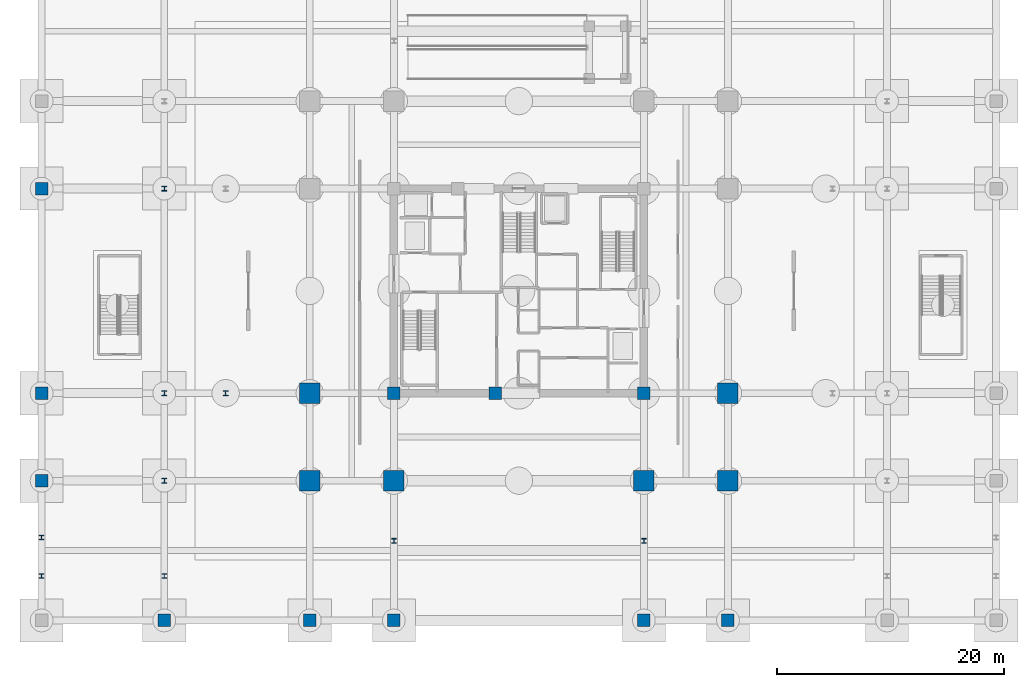
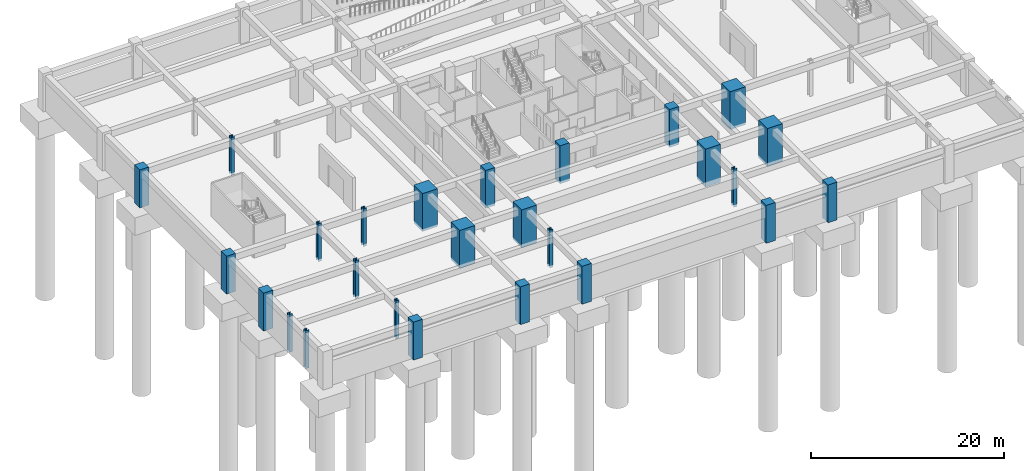
# One storey, part 2 of 17: 26 columns.
"""IFC4 building model written with IfcOpenShell, lengths in metres."""

from ifc_helpers import new_model, si_unit, direction, frame, origin, origin_2d, place, context, subcontext, project, spatial, rectangle, i_section, extrude, material, material_profile, profile_set, type_object, element, save


model = new_model("IFC4")

# Units and contexts
model_context = context("Model", 3, precision=1e-05, world=origin(), true_north=direction((0.0, 1.0)))
body_context = subcontext(model_context, "Body", "Model", "MODEL_VIEW")
ifc_project = project(units=[si_unit("LENGTHUNIT", "METRE"), si_unit("AREAUNIT", "SQUARE_METRE"), si_unit("VOLUMEUNIT", "CUBIC_METRE"), si_unit("PLANEANGLEUNIT", "RADIAN"), si_unit("MASSUNIT", "GRAM", prefix="KILO")], contexts=[model_context])

# Site, building, storey
site_placement = place(None, origin())
site = spatial("IfcSite", under=ifc_project, at=site_placement, CompositionType="ELEMENT")
building_placement = place(site_placement, origin())
building = spatial("IfcBuilding", under=site, at=building_placement, Name="Kovane Verandah Tower", CompositionType="ELEMENT")
storey_placement = place(building_placement, frame((0.0, 0.0, -9.0)))
storey = spatial("IfcBuildingStorey", under=building, at=storey_placement, Name="B2", CompositionType="ELEMENT", Elevation=-9.0)

# Columns
ifc_material_1 = material(Name="Concrete C60/75", Category="concrete")
ifc_material_profile_1 = material_profile(ifc_material_1, rectangle(XDim=1.10009765625, YDim=1.10009765625, at=origin_2d()), Name="RC1100x1100")
ifc_profile_set_1 = profile_set([ifc_material_profile_1], Name="Concrete C60/75")
column_type_1 = type_object("IfcColumnType", Name="COL-POD1100", PredefinedType="COLUMN", material=ifc_profile_set_1)
for number, where, z_axis, x_axis, name in (
    (1, (-2.0, 10.800048828125, -0.300048828125), (0.0, 0.0, 1.0), (1.0, 0.0, 0.0), "B2 Podium Column PC-W1"),
    (2, (-2.0, 18.5, -0.300048828125), (0.0, 0.0, 1.0), (1.0, 0.0, 0.0), "B2 Podium Column PC-W2"),
    (3, (-2.0, 36.5, -0.300048828125), (0.0, 0.0, 1.0), (1.0, 0.0, 0.0), "B2 Podium Column PC-W3"),
    (4, (8.800048828125, -1.5, -0.300048828125), (0.0, 0.0, 1.0), (1.0, 0.0, 0.0), "B2 Podium Column PC-S1"),
    (5, (21.60009765625, -1.5, -0.300048828125), (0.0, 0.0, 1.0), (1.0, 0.0, 0.0), "B2 Podium Column PC-S2"),
    (6, (29.0, -1.5, -0.300048828125), (0.0, 0.0, 1.0), (1.0, 0.0, 0.0), "B2 Podium Column PC-S3"),
    (7, (51.0, -1.5, -0.300048828125), (0.0, 0.0, 1.0), (1.0, 0.0, 0.0), "B2 Podium Column PC-S4"),
    (8, (58.39990234375, -1.5, -0.300048828125), (0.0, 0.0, 1.0), (1.0, 0.0, 0.0), "B2 Podium Column PC-S5"),
):
    element("IfcColumn", number, at=place(storey_placement, frame(where, z_axis=z_axis, x_axis=x_axis)), inside=storey, type_object=column_type_1, Name=name, PredefinedType="COLUMN", context=body_context, shape_type="SweptSolid", body=[
        extrude(rectangle(XDim=1.10009765625, YDim=1.10009765625, at=origin_2d()), origin(), (0.0, 0.0, 1.0), 4.800048828125),
    ])
ifc_material_2 = material(Name="Concrete C80/95", Category="concrete")
ifc_material_profile_2 = material_profile(ifc_material_2, rectangle(XDim=1.800048828125, YDim=1.800048828125, at=origin_2d()), Name="RC1800x1800")
ifc_profile_set_2 = profile_set([ifc_material_profile_2], Name="Concrete C80/95")
column_type_2 = type_object("IfcColumnType", Name="COL-RC1800", PredefinedType="COLUMN", material=ifc_profile_set_2)
for number, where, z_axis, x_axis, name in (
    (9, (29.0, 10.800048828125, -0.300048828125), (0.0, 0.0, 1.0), (1.0, 0.0, 0.0), "B2 Tower Mega-Column MC-S1"),
    (10, (51.0, 10.800048828125, -0.300048828125), (0.0, 0.0, 1.0), (1.0, 0.0, 0.0), "B2 Tower Mega-Column MC-S2"),
    (11, (21.60009765625, 18.5, -0.300048828125), (0.0, 0.0, 1.0), (1.0, 0.0, 0.0), "B2 Tower Mega-Column MC-W1"),
    (12, (58.39990234375, 18.5, -0.300048828125), (0.0, 0.0, 1.0), (1.0, 0.0, 0.0), "B2 Tower Mega-Column MC-E1"),
    (13, (21.60009765625, 10.800048828125, -0.300048828125), (0.0, 0.0, 1.0), (1.0, 0.0, 0.0), "B2 Tower Mega-Column MC-SW"),
    (14, (58.39990234375, 10.800048828125, -0.300048828125), (0.0, 0.0, 1.0), (1.0, 0.0, 0.0), "B2 Tower Mega-Column MC-SE"),
):
    element("IfcColumn", number, at=place(storey_placement, frame(where, z_axis=z_axis, x_axis=x_axis)), inside=storey, type_object=column_type_2, Name=name, PredefinedType="COLUMN", context=body_context, shape_type="SweptSolid", body=[
        extrude(rectangle(XDim=1.800048828125, YDim=1.800048828125, at=origin_2d()), origin(), (0.0, 0.0, 1.0), 4.800048828125),
    ])
ifc_material_3 = material(Name="Steel S460", Category="steel")
ifc_material_profile_3 = material_profile(ifc_material_3, i_section(OverallWidth=0.403076171875, OverallDepth=0.406494140625, WebThickness=0.026611328125, FlangeThickness=0.04296875, FilletRadius=0.01513671875, at=origin_2d()), Name="UC356x406x340")
ifc_profile_set_3 = profile_set([ifc_material_profile_3], Name="Steel S460")
column_type_3 = type_object("IfcColumnType", Name="COL-UC340", PredefinedType="COLUMN", material=ifc_profile_set_3)
for number, where, z_axis, x_axis, name in (
    (15, (-2.0, 2.39990234375, -0.300048828125), (0.0, 0.0, 1.0), (1.0, 0.0, 0.0), "B2 South Terrace Step Column S1-1"),
    (16, (8.800048828125, 2.39990234375, -0.300048828125), (0.0, 0.0, 1.0), (1.0, 0.0, 0.0), "B2 South Terrace Step Column S1-2"),
    (17, (-2.0, 5.800048828125, -0.300048828125), (0.0, 0.0, 1.0), (1.0, 0.0, 0.0), "B2 South Terrace Step Column S2-1"),
):
    element("IfcColumn", number, at=place(storey_placement, frame(where, z_axis=z_axis, x_axis=x_axis)), inside=storey, type_object=column_type_3, Name=name, PredefinedType="COLUMN", context=body_context, shape_type="SweptSolid", body=[
        extrude(i_section(OverallWidth=0.403076171875, OverallDepth=0.406494140625, WebThickness=0.026611328125, FlangeThickness=0.04296875, FilletRadius=0.01513671875, at=origin_2d()), origin(), (0.0, 0.0, 1.0), 4.800048828125),
    ])
ifc_material_profile_4 = material_profile(ifc_material_3, i_section(OverallWidth=0.412109375, OverallDepth=0.4365234375, WebThickness=0.035888671875, FlangeThickness=0.05810546875, FilletRadius=0.01513671875, at=origin_2d()), Name="UC356x406x467")
ifc_profile_set_4 = profile_set([ifc_material_profile_4], Name="Steel S460")
column_type_4 = type_object("IfcColumnType", Name="COL-UC467", PredefinedType="COLUMN", material=ifc_profile_set_4)
for number, where, z_axis, x_axis, name in (
    (18, (14.199951171875, 18.5, -0.300048828125), (0.0, 0.0, 1.0), (1.0, 0.0, 0.0), "B2 Verandah Perimeter Column VC-W1"),
    (19, (29.0, 5.5, -0.300048828125), (0.0, 0.0, 1.0), (1.0, 0.0, 0.0), "B2 Verandah Perimeter Column VC-S1"),
    (20, (51.0, 5.5, -0.300048828125), (0.0, 0.0, 1.0), (1.0, 0.0, 0.0), "B2 Verandah Perimeter Column VC-S2"),
):
    element("IfcColumn", number, at=place(storey_placement, frame(where, z_axis=z_axis, x_axis=x_axis)), inside=storey, type_object=column_type_4, Name=name, PredefinedType="COLUMN", context=body_context, shape_type="SweptSolid", body=[
        extrude(i_section(OverallWidth=0.412109375, OverallDepth=0.4365234375, WebThickness=0.035888671875, FlangeThickness=0.05810546875, FilletRadius=0.01513671875, at=origin_2d()), origin(), (0.0, 0.0, 1.0), 4.800048828125),
    ])
ifc_material_4 = material(Name="Steel S355", Category="steel")
ifc_material_profile_5 = material_profile(ifc_material_4, i_section(OverallWidth=0.41845703125, OverallDepth=0.45556640625, WebThickness=0.0419921875, FlangeThickness=0.0673828125, FilletRadius=0.01513671875, at=origin_2d()), Name="UC356x406x551")
ifc_profile_set_5 = profile_set([ifc_material_profile_5], Name="Steel S355")
column_type_5 = type_object("IfcColumnType", Name="COL-UC551", PredefinedType="COLUMN", material=ifc_profile_set_5)
for number, where, z_axis, x_axis, name in (
    (21, (8.800048828125, 10.800048828125, -0.300048828125), (0.0, 0.0, 1.0), (1.0, 0.0, 0.0), "B2 Podium Column PC-MW1"),
    (22, (8.800048828125, 18.5, -0.300048828125), (0.0, 0.0, 1.0), (1.0, 0.0, 0.0), "B2 Podium Column PC-MW2"),
    (23, (8.800048828125, 36.5, -0.300048828125), (0.0, 0.0, 1.0), (1.0, 0.0, 0.0), "B2 Podium Column PC-MW3"),
):
    element("IfcColumn", number, at=place(storey_placement, frame(where, z_axis=z_axis, x_axis=x_axis)), inside=storey, type_object=column_type_5, Name=name, PredefinedType="COLUMN", context=body_context, shape_type="SweptSolid", body=[
        extrude(i_section(OverallWidth=0.41845703125, OverallDepth=0.45556640625, WebThickness=0.0419921875, FlangeThickness=0.0673828125, FilletRadius=0.01513671875, at=origin_2d()), origin(), (0.0, 0.0, 1.0), 4.800048828125),
    ])
ifc_material_profile_6 = material_profile(ifc_material_2, rectangle(XDim=1.10009765625, YDim=1.10009765625, at=origin_2d()), Name="RC1100x1100")
ifc_profile_set_6 = profile_set([ifc_material_profile_6], Name="Concrete C80/95")
column_type_6 = type_object("IfcColumnType", Name="PIL-RC1100", PredefinedType="PILASTER", material=ifc_profile_set_6)
for number, where, z_axis, x_axis, name in (
    (24, (29.0, 18.5, -0.300048828125), (0.0, 0.0, 1.0), (1.0, 0.0, 0.0), "B2 Core Pilaster CP-SW"),
    (25, (51.0, 18.5, -0.300048828125), (0.0, 0.0, 1.0), (1.0, 0.0, 0.0), "B2 Core Pilaster CP-SE"),
    (26, (37.89990234375, 18.5, -0.300048828125), (0.0, 0.0, 1.0), (1.0, 0.0, 0.0), "B2 Core Pilaster CP-S"),
):
    element("IfcColumn", number, at=place(storey_placement, frame(where, z_axis=z_axis, x_axis=x_axis)), inside=storey, type_object=column_type_6, Name=name, PredefinedType="PILASTER", context=body_context, shape_type="SweptSolid", body=[
        extrude(rectangle(XDim=1.10009765625, YDim=1.10009765625, at=origin_2d()), origin(), (0.0, 0.0, 1.0), 4.800048828125),
    ])

save(model, "model.ifc")
